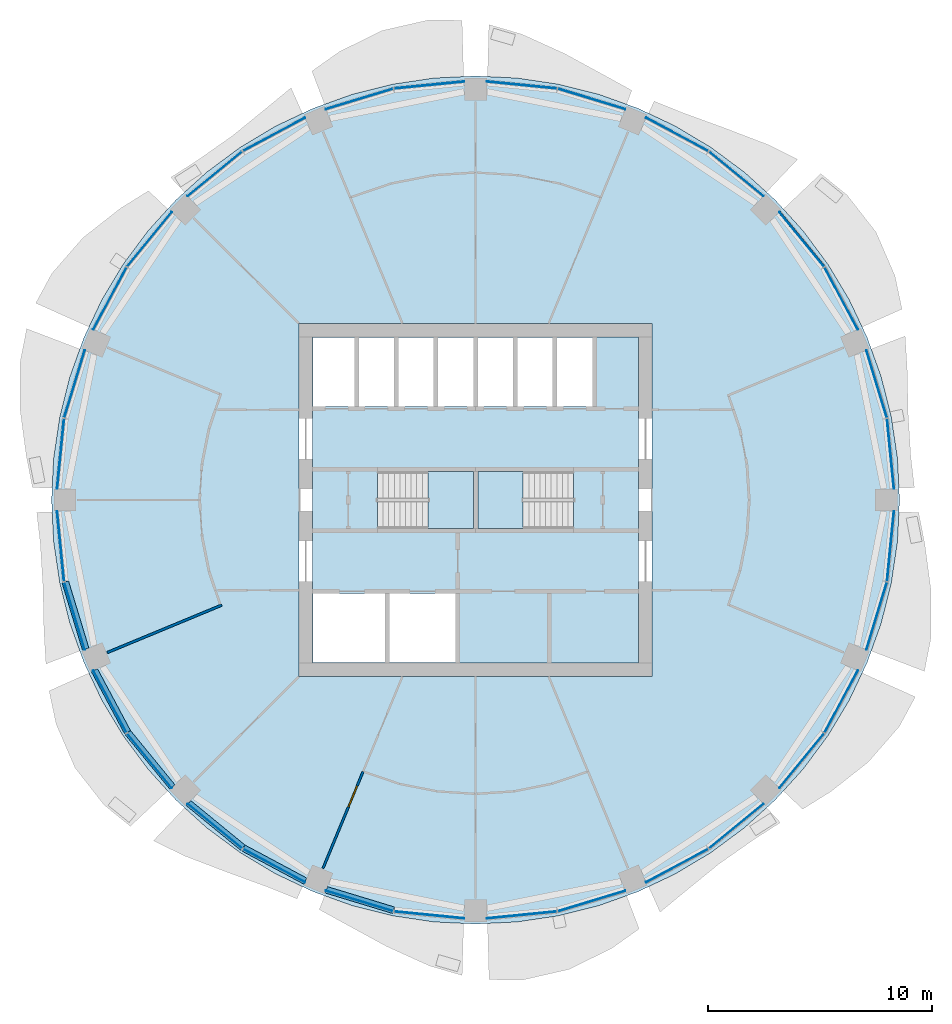
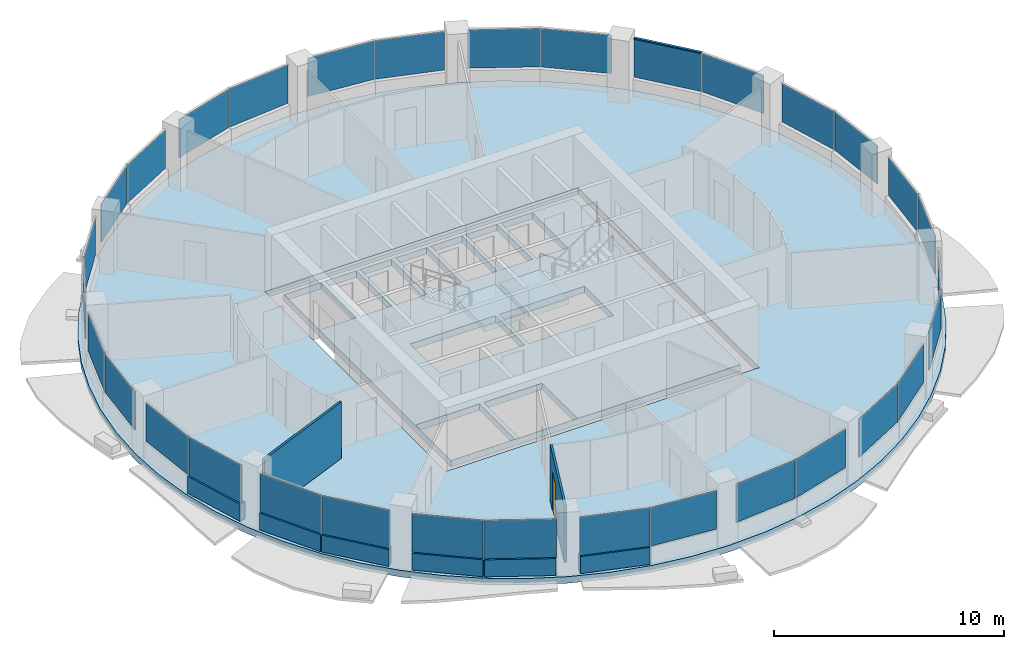
# One storey, part 7 of 14: 32 plates, 8 walls, 4 slabs, 1 door, 1 member, 1 opening, 18 elements without a shape of their own.
"""IFC4 building model written with IfcOpenShell, lengths in metres."""

from ifc_helpers import new_model, si_unit, direction, frame, frame_2d, origin, origin_2d, place, context, subcontext, project, spatial, polyline, rectangle, outline, extrude, material, layer, layer_set, material_profile, profile_set, type_object, element, fill, aggregate, save


model = new_model("IFC4")

# Units and contexts
model_context = context("Model", 3, precision=1e-05, world=origin(), true_north=direction((0.0, 1.0)))
body_context = subcontext(model_context, "Body", "Model", "MODEL_VIEW")
ifc_project = project(units=[si_unit("LENGTHUNIT", "METRE"), si_unit("AREAUNIT", "SQUARE_METRE"), si_unit("VOLUMEUNIT", "CUBIC_METRE"), si_unit("PLANEANGLEUNIT", "RADIAN"), si_unit("MASSUNIT", "GRAM", prefix="KILO")], contexts=[model_context])

# Site, building, storey
site_placement = place(None, origin())
site = spatial("IfcSite", under=ifc_project, at=site_placement, CompositionType="ELEMENT")
building_placement = place(site_placement, origin())
building = spatial("IfcBuilding", under=site, at=building_placement, Name="Polderwave Tower", CompositionType="ELEMENT")
storey_placement = place(building_placement, frame((0.0, 0.0, 141.050048828125)))
storey = spatial("IfcBuildingStorey", under=building, at=storey_placement, Name="L37", CompositionType="ELEMENT", Elevation=141.050048828125)

# Curtain wall, member
ifc_material_1 = material(Name="Aluminium 6063-T6 and glass", Category="aluminium")
curtain_wall_type = type_object("IfcCurtainWallType", Name="Office ribbon glazing wall", PredefinedType="NOTDEFINED", material=ifc_material_1)
curtain_wall_1_placement = place(storey_placement, origin())
curtain_wall_1 = element("IfcCurtainWall", 1, at=curtain_wall_1_placement, inside=storey, type_object=curtain_wall_type, Name="CW3 L37 01", PredefinedType="NOTDEFINED")
ifc_material_2 = material(Name="Aluminium 6063-T6", Category="aluminium")
ifc_material_profile = material_profile(ifc_material_2, rectangle(XDim=0.1201171875, YDim=0.06005859375, at=origin_2d()), Name="AL 60x120")
ifc_profile_set = profile_set([ifc_material_profile], Name="Aluminium 6063-T6")
member_type = type_object("IfcMemberType", Name="Office ribbon glazing transom 60x120", PredefinedType="USERDEFINED", material=ifc_profile_set)
member_placement = place(storey_placement, frame((15.530517578125, 10.410400390625, 2.969970703125), z_axis=(-0.634153141657, 0.773207470816, 0.0), x_axis=(-0.773207470816, -0.634153141657, 0.0)))
member = element("IfcMember", 2, at=member_placement, type_object=member_type, Name="CW3 transom 2", ObjectType="TRANSOM", PredefinedType="USERDEFINED", context=body_context, shape_type="SweptSolid", body=[
    extrude(rectangle(XDim=0.1201171875, YDim=0.06005859375, at=origin_2d()), origin(), (0.0, 0.0, 1.0), 3.1357421875),
])

# Slab
ifc_material_3 = material(Name="Concrete C40/50", Category="concrete")
ifc_layer_1 = layer(ifc_material_3, 0.35009765625)
ifc_layer_set_1 = layer_set([ifc_layer_1], Name="Core floor slab 350")
slab_type_1 = type_object("IfcSlabType", Name="Core floor slab 350", PredefinedType="FLOOR", material=ifc_layer_set_1)
slab_1_placement = place(storey_placement, frame((0.0, 0.0, -0.35009765625)))
element("IfcSlab", 3, at=slab_1_placement, inside=storey, type_object=slab_type_1, Name="L37 core floor", PredefinedType="FLOOR", context=body_context, shape_type="SweptSolid", body=[
    extrude(outline(polyline([(-7.27392578125, -7.27392578125), (7.27392578125, -7.27392578125), (7.27392578125, 7.27392578125), (-7.27392578125, 7.27392578125), (-7.27392578125, -7.27392578125)]), holes=[polyline([(-7.25390625, -7.25390625), (-4.037109375, -7.25390625), (-4.037109375, -4.174072265625), (-7.25390625, -4.174072265625), (-7.25390625, -7.25390625)]), polyline([(-3.8369140625, -7.25390625), (-0.89990234375, -7.25390625), (-0.89990234375, -4.174072265625), (-3.8369140625, -4.174072265625), (-3.8369140625, -7.25390625)]), polyline([(-7.25390625, 4.174072265625), (-5.405517578125, 4.174072265625), (-5.405517578125, 7.25390625), (-7.25390625, 7.25390625), (-7.25390625, 4.174072265625)]), polyline([(-5.20556640625, 4.174072265625), (-3.636962890625, 4.174072265625), (-3.636962890625, 7.25390625), (-5.20556640625, 7.25390625), (-5.20556640625, 4.174072265625)]), polyline([(-3.43701171875, 4.174072265625), (-1.868408203125, 4.174072265625), (-1.868408203125, 7.25390625), (-3.43701171875, 7.25390625), (-3.43701171875, 4.174072265625)]), polyline([(-1.66845703125, 4.174072265625), (-0.10009765625, 4.174072265625), (-0.10009765625, 7.25390625), (-1.66845703125, 7.25390625), (-1.66845703125, 4.174072265625)]), polyline([(0.10009765625, 4.174072265625), (1.66845703125, 4.174072265625), (1.66845703125, 7.25390625), (0.10009765625, 7.25390625), (0.10009765625, 4.174072265625)]), polyline([(1.868408203125, 4.174072265625), (3.43701171875, 4.174072265625), (3.43701171875, 7.25390625), (1.868408203125, 7.25390625), (1.868408203125, 4.174072265625)]), polyline([(3.636962890625, 4.174072265625), (5.20556640625, 4.174072265625), (5.20556640625, 7.25390625), (3.636962890625, 7.25390625), (3.636962890625, 4.174072265625)]), polyline([(-4.37353515625, -1.2744140625), (-0.1005859375, -1.2744140625), (-0.1005859375, 1.2744140625), (-4.37353515625, 1.2744140625), (-4.37353515625, -1.2744140625)]), polyline([(0.1005859375, -1.2744140625), (4.37353515625, -1.2744140625), (4.37353515625, 1.2744140625), (0.1005859375, 1.2744140625), (0.1005859375, -1.2744140625)])]), origin(), (0.0, 0.0, 1.0), 0.35009765625),
])

# Curtain wall, plates
curtain_wall_2_placement = place(storey_placement, origin())
curtain_wall_2 = element("IfcCurtainWall", 4, at=curtain_wall_2_placement, inside=storey, type_object=curtain_wall_type, Name="CW3 L37 00", PredefinedType="NOTDEFINED")
ifc_material_4 = material(Name="Glass, low-e laminated double glazing", Category="glass")
ifc_layer_2 = layer(ifc_material_4, 0.031982421875)
ifc_layer_set_2 = layer_set([ifc_layer_2], Name="Office ribbon glazing glass panel 32 mm")
plate_type = type_object("IfcPlateType", Name="Office ribbon glazing glass panel 32 mm", PredefinedType="CURTAIN_PANEL", material=ifc_layer_set_2)
plate_1_placement = place(storey_placement, frame((18.497314453125, 2.060302734375, 0.89990234375), z_axis=(0.0, 0.0, 1.0), x_axis=(-0.098001507992, 0.995186266199, 0.0)))
plate_1 = element("IfcPlate", 5, at=plate_1_placement, type_object=plate_type, Name="CW3 panel 1", PredefinedType="CURTAIN_PANEL", context=body_context, shape_type="SweptSolid", body=[
    extrude(rectangle(XDim=3.1357421875, YDim=0.031982421875, at=origin_2d()), origin(), (0.0, 0.0, 1.0), 2.0400390625),
])
plate_2_placement = place(storey_placement, frame((17.87744140625, 5.1748046875, 0.89990234375), z_axis=(0.0, 0.0, 1.0), x_axis=(-0.290506802834, 0.95687292652, 0.0)))
plate_2 = element("IfcPlate", 6, at=plate_2_placement, type_object=plate_type, Name="CW3 panel 2", PredefinedType="CURTAIN_PANEL", context=body_context, shape_type="SweptSolid", body=[
    extrude(rectangle(XDim=3.135986328125, YDim=0.031982421875, at=origin_2d()), origin(), (0.0, 0.0, 1.0), 2.0400390625),
])
aggregate(curtain_wall_2, [plate_1, plate_2])

# Plate
plate_3_placement = place(storey_placement, frame((16.300537109375, 8.98193359375, 0.89990234375), z_axis=(0.0, 0.0, 1.0), x_axis=(-0.471572201194, 0.881827454246, 0.0)))
plate_3 = element("IfcPlate", 7, at=plate_3_placement, type_object=plate_type, Name="CW3 panel 1", PredefinedType="CURTAIN_PANEL", context=body_context, shape_type="SweptSolid", body=[
    extrude(rectangle(XDim=3.136474609375, YDim=0.031982421875, at=origin_2d()), origin(), (0.0, 0.0, 1.0), 2.0400390625),
])

plate_4_placement = place(storey_placement, frame((14.536376953125, 11.62255859375, 0.89990234375), z_axis=(0.0, 0.0, 1.0), x_axis=(-0.63413286073, 0.773224103958, 0.0)))
plate_4 = element("IfcPlate", 8, at=plate_4_placement, type_object=plate_type, Name="CW3 panel 2", PredefinedType="CURTAIN_PANEL", context=body_context, shape_type="SweptSolid", body=[
    extrude(rectangle(XDim=3.135986328125, YDim=0.031982421875, at=origin_2d()), origin(), (0.0, 0.0, 1.0), 2.0400390625),
])

aggregate(curtain_wall_1, [member, plate_3, plate_4])

# Curtain wall, plates
curtain_wall_3_placement = place(storey_placement, origin())
curtain_wall_3 = element("IfcCurtainWall", 9, at=curtain_wall_3_placement, inside=storey, type_object=curtain_wall_type, Name="CW3 L37 02", PredefinedType="NOTDEFINED")
plate_5_placement = place(storey_placement, frame((11.62255859375, 14.536376953125, 0.89990234375), z_axis=(0.0, 0.0, 1.0), x_axis=(-0.773224103958, 0.63413286073, 0.0)))
plate_5 = element("IfcPlate", 10, at=plate_5_placement, type_object=plate_type, Name="CW3 panel 1", PredefinedType="CURTAIN_PANEL", context=body_context, shape_type="SweptSolid", body=[
    extrude(rectangle(XDim=3.135986328125, YDim=0.031982421875, at=origin_2d()), origin(), (0.0, 0.0, 1.0), 2.0400390625),
])
plate_6_placement = place(storey_placement, frame((8.98193359375, 16.300537109375, 0.89990234375), z_axis=(0.0, 0.0, 1.0), x_axis=(-0.881827454246, 0.471572201194, 0.0)))
plate_6 = element("IfcPlate", 11, at=plate_6_placement, type_object=plate_type, Name="CW3 panel 2", PredefinedType="CURTAIN_PANEL", context=body_context, shape_type="SweptSolid", body=[
    extrude(rectangle(XDim=3.136474609375, YDim=0.031982421875, at=origin_2d()), origin(), (0.0, 0.0, 1.0), 2.0400390625),
])
aggregate(curtain_wall_3, [plate_5, plate_6])

curtain_wall_4_placement = place(storey_placement, origin())
curtain_wall_4 = element("IfcCurtainWall", 12, at=curtain_wall_4_placement, inside=storey, type_object=curtain_wall_type, Name="CW3 L37 03", PredefinedType="NOTDEFINED")
plate_7_placement = place(storey_placement, frame((5.1748046875, 17.87744140625, 0.89990234375), z_axis=(0.0, 0.0, 1.0), x_axis=(-0.95687292652, 0.290506802834, 0.0)))
plate_7 = element("IfcPlate", 13, at=plate_7_placement, type_object=plate_type, Name="CW3 panel 1", PredefinedType="CURTAIN_PANEL", context=body_context, shape_type="SweptSolid", body=[
    extrude(rectangle(XDim=3.135986328125, YDim=0.031982421875, at=origin_2d()), origin(), (0.0, 0.0, 1.0), 2.0400390625),
])
plate_8_placement = place(storey_placement, frame((2.060302734375, 18.497314453125, 0.89990234375), z_axis=(0.0, 0.0, 1.0), x_axis=(-0.995186266199, 0.098001507992, 0.0)))
plate_8 = element("IfcPlate", 14, at=plate_8_placement, type_object=plate_type, Name="CW3 panel 2", PredefinedType="CURTAIN_PANEL", context=body_context, shape_type="SweptSolid", body=[
    extrude(rectangle(XDim=3.1357421875, YDim=0.031982421875, at=origin_2d()), origin(), (0.0, 0.0, 1.0), 2.0400390625),
])
aggregate(curtain_wall_4, [plate_7, plate_8])

curtain_wall_5_placement = place(storey_placement, origin())
curtain_wall_5 = element("IfcCurtainWall", 15, at=curtain_wall_5_placement, inside=storey, type_object=curtain_wall_type, Name="CW3 L37 04", PredefinedType="NOTDEFINED")
plate_9_placement = place(storey_placement, frame((-2.060302734375, 18.497314453125, 0.89990234375), z_axis=(0.0, 0.0, 1.0), x_axis=(-0.995186266199, -0.098001507992, 0.0)))
plate_9 = element("IfcPlate", 16, at=plate_9_placement, type_object=plate_type, Name="CW3 panel 1", PredefinedType="CURTAIN_PANEL", context=body_context, shape_type="SweptSolid", body=[
    extrude(rectangle(XDim=3.1357421875, YDim=0.031982421875, at=origin_2d()), origin(), (0.0, 0.0, 1.0), 2.0400390625),
])
plate_10_placement = place(storey_placement, frame((-5.1748046875, 17.87744140625, 0.89990234375), z_axis=(0.0, 0.0, 1.0), x_axis=(-0.95687292652, -0.290506802834, 0.0)))
plate_10 = element("IfcPlate", 17, at=plate_10_placement, type_object=plate_type, Name="CW3 panel 2", PredefinedType="CURTAIN_PANEL", context=body_context, shape_type="SweptSolid", body=[
    extrude(rectangle(XDim=3.135986328125, YDim=0.031982421875, at=origin_2d()), origin(), (0.0, 0.0, 1.0), 2.0400390625),
])
aggregate(curtain_wall_5, [plate_9, plate_10])

curtain_wall_6_placement = place(storey_placement, origin())
curtain_wall_6 = element("IfcCurtainWall", 18, at=curtain_wall_6_placement, inside=storey, type_object=curtain_wall_type, Name="CW3 L37 05", PredefinedType="NOTDEFINED")
plate_11_placement = place(storey_placement, frame((-8.98193359375, 16.300537109375, 0.89990234375), z_axis=(0.0, 0.0, 1.0), x_axis=(-0.881827454246, -0.471572201194, 0.0)))
plate_11 = element("IfcPlate", 19, at=plate_11_placement, type_object=plate_type, Name="CW3 panel 1", PredefinedType="CURTAIN_PANEL", context=body_context, shape_type="SweptSolid", body=[
    extrude(rectangle(XDim=3.136474609375, YDim=0.031982421875, at=origin_2d()), origin(), (0.0, 0.0, 1.0), 2.0400390625),
])
plate_12_placement = place(storey_placement, frame((-11.62255859375, 14.536376953125, 0.89990234375), z_axis=(0.0, 0.0, 1.0), x_axis=(-0.773224103958, -0.63413286073, 0.0)))
plate_12 = element("IfcPlate", 20, at=plate_12_placement, type_object=plate_type, Name="CW3 panel 2", PredefinedType="CURTAIN_PANEL", context=body_context, shape_type="SweptSolid", body=[
    extrude(rectangle(XDim=3.135986328125, YDim=0.031982421875, at=origin_2d()), origin(), (0.0, 0.0, 1.0), 2.0400390625),
])
aggregate(curtain_wall_6, [plate_11, plate_12])

curtain_wall_7_placement = place(storey_placement, origin())
curtain_wall_7 = element("IfcCurtainWall", 21, at=curtain_wall_7_placement, inside=storey, type_object=curtain_wall_type, Name="CW3 L37 06", PredefinedType="NOTDEFINED")
plate_13_placement = place(storey_placement, frame((-14.536376953125, 11.62255859375, 0.89990234375), z_axis=(0.0, 0.0, 1.0), x_axis=(-0.63413286073, -0.773224103958, 0.0)))
plate_13 = element("IfcPlate", 22, at=plate_13_placement, type_object=plate_type, Name="CW3 panel 1", PredefinedType="CURTAIN_PANEL", context=body_context, shape_type="SweptSolid", body=[
    extrude(rectangle(XDim=3.135986328125, YDim=0.031982421875, at=origin_2d()), origin(), (0.0, 0.0, 1.0), 2.0400390625),
])
plate_14_placement = place(storey_placement, frame((-16.300537109375, 8.98193359375, 0.89990234375), z_axis=(0.0, 0.0, 1.0), x_axis=(-0.471572201194, -0.881827454246, 0.0)))
plate_14 = element("IfcPlate", 23, at=plate_14_placement, type_object=plate_type, Name="CW3 panel 2", PredefinedType="CURTAIN_PANEL", context=body_context, shape_type="SweptSolid", body=[
    extrude(rectangle(XDim=3.136474609375, YDim=0.031982421875, at=origin_2d()), origin(), (0.0, 0.0, 1.0), 2.0400390625),
])
aggregate(curtain_wall_7, [plate_13, plate_14])

curtain_wall_8_placement = place(storey_placement, origin())
curtain_wall_8 = element("IfcCurtainWall", 24, at=curtain_wall_8_placement, inside=storey, type_object=curtain_wall_type, Name="CW3 L37 07", PredefinedType="NOTDEFINED")
plate_15_placement = place(storey_placement, frame((-17.87744140625, 5.1748046875, 0.89990234375), z_axis=(0.0, 0.0, 1.0), x_axis=(-0.290506802834, -0.95687292652, 0.0)))
plate_15 = element("IfcPlate", 25, at=plate_15_placement, type_object=plate_type, Name="CW3 panel 1", PredefinedType="CURTAIN_PANEL", context=body_context, shape_type="SweptSolid", body=[
    extrude(rectangle(XDim=3.135986328125, YDim=0.031982421875, at=origin_2d()), origin(), (0.0, 0.0, 1.0), 2.0400390625),
])
plate_16_placement = place(storey_placement, frame((-18.497314453125, 2.060302734375, 0.89990234375), z_axis=(0.0, 0.0, 1.0), x_axis=(-0.098001507992, -0.995186266199, 0.0)))
plate_16 = element("IfcPlate", 26, at=plate_16_placement, type_object=plate_type, Name="CW3 panel 2", PredefinedType="CURTAIN_PANEL", context=body_context, shape_type="SweptSolid", body=[
    extrude(rectangle(XDim=3.1357421875, YDim=0.031982421875, at=origin_2d()), origin(), (0.0, 0.0, 1.0), 2.0400390625),
])
aggregate(curtain_wall_8, [plate_15, plate_16])

curtain_wall_9_placement = place(storey_placement, origin())
curtain_wall_9 = element("IfcCurtainWall", 27, at=curtain_wall_9_placement, inside=storey, type_object=curtain_wall_type, Name="CW3 L37 08", PredefinedType="NOTDEFINED")
plate_17_placement = place(storey_placement, frame((-18.497314453125, -2.060302734375, 0.89990234375), z_axis=(0.0, 0.0, 1.0), x_axis=(0.098001507992, -0.995186266199, 0.0)))
plate_17 = element("IfcPlate", 28, at=plate_17_placement, type_object=plate_type, Name="CW3 panel 1", PredefinedType="CURTAIN_PANEL", context=body_context, shape_type="SweptSolid", body=[
    extrude(rectangle(XDim=3.1357421875, YDim=0.031982421875, at=origin_2d()), origin(), (0.0, 0.0, 1.0), 2.0400390625),
])
plate_18_placement = place(storey_placement, frame((-17.87744140625, -5.1748046875, 0.89990234375), z_axis=(0.0, 0.0, 1.0), x_axis=(0.290506802834, -0.95687292652, 0.0)))
plate_18 = element("IfcPlate", 29, at=plate_18_placement, type_object=plate_type, Name="CW3 panel 2", PredefinedType="CURTAIN_PANEL", context=body_context, shape_type="SweptSolid", body=[
    extrude(rectangle(XDim=3.135986328125, YDim=0.031982421875, at=origin_2d()), origin(), (0.0, 0.0, 1.0), 2.0400390625),
])
aggregate(curtain_wall_9, [plate_17, plate_18])

curtain_wall_10_placement = place(storey_placement, origin())
curtain_wall_10 = element("IfcCurtainWall", 30, at=curtain_wall_10_placement, inside=storey, type_object=curtain_wall_type, Name="CW3 L37 09", PredefinedType="NOTDEFINED")
plate_19_placement = place(storey_placement, frame((-16.300537109375, -8.98193359375, 0.89990234375), z_axis=(0.0, 0.0, 1.0), x_axis=(0.471572201194, -0.881827454246, 0.0)))
plate_19 = element("IfcPlate", 31, at=plate_19_placement, type_object=plate_type, Name="CW3 panel 1", PredefinedType="CURTAIN_PANEL", context=body_context, shape_type="SweptSolid", body=[
    extrude(rectangle(XDim=3.136474609375, YDim=0.031982421875, at=origin_2d()), origin(), (0.0, 0.0, 1.0), 2.0400390625),
])
plate_20_placement = place(storey_placement, frame((-14.536376953125, -11.62255859375, 0.89990234375), z_axis=(0.0, 0.0, 1.0), x_axis=(0.63413286073, -0.773224103958, 0.0)))
plate_20 = element("IfcPlate", 32, at=plate_20_placement, type_object=plate_type, Name="CW3 panel 2", PredefinedType="CURTAIN_PANEL", context=body_context, shape_type="SweptSolid", body=[
    extrude(rectangle(XDim=3.135986328125, YDim=0.031982421875, at=origin_2d()), origin(), (0.0, 0.0, 1.0), 2.0400390625),
])
aggregate(curtain_wall_10, [plate_19, plate_20])

curtain_wall_11_placement = place(storey_placement, origin())
curtain_wall_11 = element("IfcCurtainWall", 33, at=curtain_wall_11_placement, inside=storey, type_object=curtain_wall_type, Name="CW3 L37 10", PredefinedType="NOTDEFINED")
plate_21_placement = place(storey_placement, frame((-11.62255859375, -14.536376953125, 0.89990234375), z_axis=(0.0, 0.0, 1.0), x_axis=(0.773224103958, -0.63413286073, 0.0)))
plate_21 = element("IfcPlate", 34, at=plate_21_placement, type_object=plate_type, Name="CW3 panel 1", PredefinedType="CURTAIN_PANEL", context=body_context, shape_type="SweptSolid", body=[
    extrude(rectangle(XDim=3.135986328125, YDim=0.031982421875, at=origin_2d()), origin(), (0.0, 0.0, 1.0), 2.0400390625),
])
plate_22_placement = place(storey_placement, frame((-8.98193359375, -16.300537109375, 0.89990234375), z_axis=(0.0, 0.0, 1.0), x_axis=(0.881827454246, -0.471572201194, 0.0)))
plate_22 = element("IfcPlate", 35, at=plate_22_placement, type_object=plate_type, Name="CW3 panel 2", PredefinedType="CURTAIN_PANEL", context=body_context, shape_type="SweptSolid", body=[
    extrude(rectangle(XDim=3.136474609375, YDim=0.031982421875, at=origin_2d()), origin(), (0.0, 0.0, 1.0), 2.0400390625),
])
aggregate(curtain_wall_11, [plate_21, plate_22])

curtain_wall_12_placement = place(storey_placement, origin())
curtain_wall_12 = element("IfcCurtainWall", 36, at=curtain_wall_12_placement, inside=storey, type_object=curtain_wall_type, Name="CW3 L37 11", PredefinedType="NOTDEFINED")
plate_23_placement = place(storey_placement, frame((-5.1748046875, -17.87744140625, 0.89990234375), z_axis=(0.0, 0.0, 1.0), x_axis=(0.95687292652, -0.290506802834, 0.0)))
plate_23 = element("IfcPlate", 37, at=plate_23_placement, type_object=plate_type, Name="CW3 panel 1", PredefinedType="CURTAIN_PANEL", context=body_context, shape_type="SweptSolid", body=[
    extrude(rectangle(XDim=3.135986328125, YDim=0.031982421875, at=origin_2d()), origin(), (0.0, 0.0, 1.0), 2.0400390625),
])
plate_24_placement = place(storey_placement, frame((-2.060302734375, -18.497314453125, 0.89990234375), z_axis=(0.0, 0.0, 1.0), x_axis=(0.995186266199, -0.098001507992, 0.0)))
plate_24 = element("IfcPlate", 38, at=plate_24_placement, type_object=plate_type, Name="CW3 panel 2", PredefinedType="CURTAIN_PANEL", context=body_context, shape_type="SweptSolid", body=[
    extrude(rectangle(XDim=3.1357421875, YDim=0.031982421875, at=origin_2d()), origin(), (0.0, 0.0, 1.0), 2.0400390625),
])
aggregate(curtain_wall_12, [plate_23, plate_24])

curtain_wall_13_placement = place(storey_placement, origin())
curtain_wall_13 = element("IfcCurtainWall", 39, at=curtain_wall_13_placement, inside=storey, type_object=curtain_wall_type, Name="CW3 L37 12", PredefinedType="NOTDEFINED")
plate_25_placement = place(storey_placement, frame((2.060302734375, -18.497314453125, 0.89990234375), z_axis=(0.0, 0.0, 1.0), x_axis=(0.995186266199, 0.098001507992, 0.0)))
plate_25 = element("IfcPlate", 40, at=plate_25_placement, type_object=plate_type, Name="CW3 panel 1", PredefinedType="CURTAIN_PANEL", context=body_context, shape_type="SweptSolid", body=[
    extrude(rectangle(XDim=3.1357421875, YDim=0.031982421875, at=origin_2d()), origin(), (0.0, 0.0, 1.0), 2.0400390625),
])
plate_26_placement = place(storey_placement, frame((5.1748046875, -17.87744140625, 0.89990234375), z_axis=(0.0, 0.0, 1.0), x_axis=(0.95687292652, 0.290506802834, 0.0)))
plate_26 = element("IfcPlate", 41, at=plate_26_placement, type_object=plate_type, Name="CW3 panel 2", PredefinedType="CURTAIN_PANEL", context=body_context, shape_type="SweptSolid", body=[
    extrude(rectangle(XDim=3.135986328125, YDim=0.031982421875, at=origin_2d()), origin(), (0.0, 0.0, 1.0), 2.0400390625),
])
aggregate(curtain_wall_13, [plate_25, plate_26])

curtain_wall_14_placement = place(storey_placement, origin())
curtain_wall_14 = element("IfcCurtainWall", 42, at=curtain_wall_14_placement, inside=storey, type_object=curtain_wall_type, Name="CW3 L37 13", PredefinedType="NOTDEFINED")
plate_27_placement = place(storey_placement, frame((8.98193359375, -16.300537109375, 0.89990234375), z_axis=(0.0, 0.0, 1.0), x_axis=(0.881827454246, 0.471572201194, 0.0)))
plate_27 = element("IfcPlate", 43, at=plate_27_placement, type_object=plate_type, Name="CW3 panel 1", PredefinedType="CURTAIN_PANEL", context=body_context, shape_type="SweptSolid", body=[
    extrude(rectangle(XDim=3.136474609375, YDim=0.031982421875, at=origin_2d()), origin(), (0.0, 0.0, 1.0), 2.0400390625),
])
plate_28_placement = place(storey_placement, frame((11.62255859375, -14.536376953125, 0.89990234375), z_axis=(0.0, 0.0, 1.0), x_axis=(0.773224103958, 0.63413286073, 0.0)))
plate_28 = element("IfcPlate", 44, at=plate_28_placement, type_object=plate_type, Name="CW3 panel 2", PredefinedType="CURTAIN_PANEL", context=body_context, shape_type="SweptSolid", body=[
    extrude(rectangle(XDim=3.135986328125, YDim=0.031982421875, at=origin_2d()), origin(), (0.0, 0.0, 1.0), 2.0400390625),
])
aggregate(curtain_wall_14, [plate_27, plate_28])

curtain_wall_15_placement = place(storey_placement, origin())
curtain_wall_15 = element("IfcCurtainWall", 45, at=curtain_wall_15_placement, inside=storey, type_object=curtain_wall_type, Name="CW3 L37 14", PredefinedType="NOTDEFINED")
plate_29_placement = place(storey_placement, frame((14.536376953125, -11.62255859375, 0.89990234375), z_axis=(0.0, 0.0, 1.0), x_axis=(0.63413286073, 0.773224103958, 0.0)))
plate_29 = element("IfcPlate", 46, at=plate_29_placement, type_object=plate_type, Name="CW3 panel 1", PredefinedType="CURTAIN_PANEL", context=body_context, shape_type="SweptSolid", body=[
    extrude(rectangle(XDim=3.135986328125, YDim=0.031982421875, at=origin_2d()), origin(), (0.0, 0.0, 1.0), 2.0400390625),
])
plate_30_placement = place(storey_placement, frame((16.300537109375, -8.98193359375, 0.89990234375), z_axis=(0.0, 0.0, 1.0), x_axis=(0.471572201194, 0.881827454246, 0.0)))
plate_30 = element("IfcPlate", 47, at=plate_30_placement, type_object=plate_type, Name="CW3 panel 2", PredefinedType="CURTAIN_PANEL", context=body_context, shape_type="SweptSolid", body=[
    extrude(rectangle(XDim=3.136474609375, YDim=0.031982421875, at=origin_2d()), origin(), (0.0, 0.0, 1.0), 2.0400390625),
])
aggregate(curtain_wall_15, [plate_29, plate_30])

curtain_wall_16_placement = place(storey_placement, origin())
curtain_wall_16 = element("IfcCurtainWall", 48, at=curtain_wall_16_placement, inside=storey, type_object=curtain_wall_type, Name="CW3 L37 15", PredefinedType="NOTDEFINED")
plate_31_placement = place(storey_placement, frame((17.87744140625, -5.1748046875, 0.89990234375), z_axis=(0.0, 0.0, 1.0), x_axis=(0.290506802834, 0.95687292652, 0.0)))
plate_31 = element("IfcPlate", 49, at=plate_31_placement, type_object=plate_type, Name="CW3 panel 1", PredefinedType="CURTAIN_PANEL", context=body_context, shape_type="SweptSolid", body=[
    extrude(rectangle(XDim=3.135986328125, YDim=0.031982421875, at=origin_2d()), origin(), (0.0, 0.0, 1.0), 2.0400390625),
])
plate_32_placement = place(storey_placement, frame((18.497314453125, -2.060302734375, 0.89990234375), z_axis=(0.0, 0.0, 1.0), x_axis=(0.098001507992, 0.995186266199, 0.0)))
plate_32 = element("IfcPlate", 50, at=plate_32_placement, type_object=plate_type, Name="CW3 panel 2", PredefinedType="CURTAIN_PANEL", context=body_context, shape_type="SweptSolid", body=[
    extrude(rectangle(XDim=3.1357421875, YDim=0.031982421875, at=origin_2d()), origin(), (0.0, 0.0, 1.0), 2.0400390625),
])
aggregate(curtain_wall_16, [plate_31, plate_32])

# Slab
ifc_layer_3 = layer(ifc_material_3, 0.35009765625)
ifc_layer_set_3 = layer_set([ifc_layer_3], Name="PT FLOOR SLAB 350 C40/50")
slab_type_2 = type_object("IfcSlabType", Name="PT FLOOR SLAB 350 C40/50", PredefinedType="FLOOR", material=ifc_layer_set_3)
slab_2_placement = place(storey_placement, frame((0.0, 0.0, -0.35009765625)))
element("IfcSlab", 51, at=slab_2_placement, inside=storey, type_object=slab_type_2, Name="ST-SLAB-L37", PredefinedType="FLOOR", context=body_context, shape_type="SweptSolid", body=[
    extrude(outline(polyline([(18.89990234375, 0.0), (18.80908203125, 1.8525390625), (18.536865234375, 3.687255859375), (18.086181640625, 5.486328125), (17.461181640625, 7.232666015625), (16.668212890625, 8.909423828125), (15.71484375, 10.500244140625), (14.60986328125, 11.989990234375), (13.3642578125, 13.3642578125), (11.989990234375, 14.60986328125), (10.500244140625, 15.71484375), (8.909423828125, 16.668212890625), (7.232666015625, 17.461181640625), (5.486328125, 18.086181640625), (3.687255859375, 18.536865234375), (1.8525390625, 18.80908203125), (0.0, 18.89990234375), (-1.8525390625, 18.80908203125), (-3.687255859375, 18.536865234375), (-5.486328125, 18.086181640625), (-7.232666015625, 17.461181640625), (-8.909423828125, 16.668212890625), (-10.500244140625, 15.71484375), (-11.989990234375, 14.60986328125), (-13.3642578125, 13.3642578125), (-14.60986328125, 11.989990234375), (-15.71484375, 10.500244140625), (-16.668212890625, 8.909423828125), (-17.461181640625, 7.232666015625), (-18.086181640625, 5.486328125), (-18.536865234375, 3.687255859375), (-18.80908203125, 1.8525390625), (-18.89990234375, 0.0), (-18.80908203125, -1.8525390625), (-18.536865234375, -3.687255859375), (-18.086181640625, -5.486328125), (-17.461181640625, -7.232666015625), (-16.668212890625, -8.909423828125), (-15.71484375, -10.500244140625), (-14.60986328125, -11.989990234375), (-13.3642578125, -13.3642578125), (-11.989990234375, -14.60986328125), (-10.500244140625, -15.71484375), (-8.909423828125, -16.668212890625), (-7.232666015625, -17.461181640625), (-5.486328125, -18.086181640625), (-3.687255859375, -18.536865234375), (-1.8525390625, -18.80908203125), (0.0, -18.89990234375), (1.8525390625, -18.80908203125), (3.687255859375, -18.536865234375), (5.486328125, -18.086181640625), (7.232666015625, -17.461181640625), (8.909423828125, -16.668212890625), (10.500244140625, -15.71484375), (11.989990234375, -14.60986328125), (13.3642578125, -13.3642578125), (14.60986328125, -11.989990234375), (15.71484375, -10.500244140625), (16.668212890625, -8.909423828125), (17.461181640625, -7.232666015625), (18.086181640625, -5.486328125), (18.536865234375, -3.687255859375), (18.80908203125, -1.8525390625), (18.89990234375, 0.0)]), holes=[polyline([(-7.8740234375, -7.8740234375), (7.8740234375, -7.8740234375), (7.8740234375, 7.8740234375), (-7.8740234375, 7.8740234375), (-7.8740234375, -7.8740234375)])]), origin(), (0.0, 0.0, 1.0), 0.35009765625),
])

# Stair, slab
stair_type = type_object("IfcStairType", Name="Exit stair 1200 x 20 risers", PredefinedType="HALF_TURN_STAIR", material=ifc_material_3)
stair_1_placement = place(storey_placement, origin())
stair_1 = element("IfcStair", 52, at=stair_1_placement, inside=storey, type_object=stair_type, Name="L37 Exit stair A", PredefinedType="HALF_TURN_STAIR")
ifc_layer_4 = layer(ifc_material_3, 0.300048828125)
ifc_layer_set_4 = layer_set([ifc_layer_4], Name="Stair landing 300")
slab_type_3 = type_object("IfcSlabType", Name="Stair landing 300", PredefinedType="LANDING", material=ifc_layer_set_4)
slab_3_placement = place(storey_placement, frame((0.0, 0.0, 1.375)))
slab_3 = element("IfcSlab", 53, at=slab_3_placement, type_object=slab_type_3, Name="ST-A landing 1", PredefinedType="LANDING", context=body_context, shape_type="SweptSolid", body=[
    extrude(outline(polyline([(-2.1240234375, -1.27490234375), (-0.10009765625, -1.27490234375), (-0.10009765625, 1.27490234375), (-2.1240234375, 1.27490234375), (-2.1240234375, -1.27490234375)])), origin(), (0.0, 0.0, 1.0), 0.300048828125),
])
aggregate(stair_1, [slab_3])

stair_2_placement = place(storey_placement, origin())
stair_2 = element("IfcStair", 54, at=stair_2_placement, inside=storey, type_object=stair_type, Name="L37 Exit stair B", PredefinedType="HALF_TURN_STAIR")
slab_4_placement = place(storey_placement, frame((0.0, 0.0, 1.375)))
slab_4 = element("IfcSlab", 55, at=slab_4_placement, type_object=slab_type_3, Name="ST-B landing 1", PredefinedType="LANDING", context=body_context, shape_type="SweptSolid", body=[
    extrude(outline(polyline([(2.1240234375, 1.27490234375), (0.10009765625, 1.27490234375), (0.10009765625, -1.27490234375), (2.1240234375, -1.27490234375), (2.1240234375, 1.27490234375)])), origin(), (0.0, 0.0, 1.0), 0.300048828125),
])
aggregate(stair_2, [slab_4])

# Walls
ifc_material_5 = material(Name="Concrete C50/60 (board-marked)", Category="concrete")
ifc_layer_5 = layer(ifc_material_5, 0.300048828125)
ifc_layer_set_5 = layer_set([ifc_layer_5], Name="Concrete spandrel upstand C50/60")
wall_type_1 = type_object("IfcWallType", Name="Concrete spandrel upstand C50/60", PredefinedType="SOLIDWALL", material=ifc_layer_set_5)
for number, where, z_axis, x_axis, name in (
    (56, (-18.28759765625, -3.65234375, 0.0), (0.0, 0.0, 1.0), (0.290614442714, -0.95684024042, 0.0), "Spandrel L37 9b"),
    (57, (-16.98681640625, -7.59228515625, 0.0), (0.0, 0.0, 1.0), (0.471577373746, -0.881824688116, 0.0), "Spandrel L37 10a"),
    (58, (-15.49658203125, -10.37255859375, 0.0), (0.0, 0.0, 1.0), (0.633977746593, -0.773351289405, 0.0), "Spandrel L37 10b"),
    (59, (-12.789306640625, -13.515380859375, 0.0), (0.0, 0.0, 1.0), (0.773351289405, -0.633977746593, 0.0), "Spandrel L37 11a"),
    (60, (-10.347900390625, -15.51318359375, 0.0), (0.0, 0.0, 1.0), (0.881824688116, -0.471577373746, 0.0), "Spandrel L37 11b"),
    (61, (-6.642578125, -17.37939453125, 0.0), (0.0, 0.0, 1.0), (0.95684024042, -0.290614442714, 0.0), "Spandrel L37 12a"),
):
    element("IfcWall", number, at=place(storey_placement, frame(where, z_axis=z_axis, x_axis=x_axis)), inside=storey, type_object=wall_type_1, Name=name, PredefinedType="SOLIDWALL", context=body_context, shape_type="SweptSolid", body=[
        extrude(rectangle(XDim=3.125, YDim=0.300048828125, at=frame_2d((1.5625, 0.0))), origin(), (0.0, 0.0, 1.0), 0.89990234375),
    ])

# Wall, opening, door
ifc_material_6 = material(Name="Plasterboard on steel studs", Category="steel")
ifc_layer_6 = layer(ifc_material_6, 0.10009765625)
ifc_layer_set_6 = layer_set([ifc_layer_6], Name="Partition 100 mm plasterboard on steel studs")
wall_type_2 = type_object("IfcWallType", Name="Partition 100 mm plasterboard on steel studs", PredefinedType="PARTITIONING", material=ifc_layer_set_6)
wall_1_placement = place(storey_placement, frame((-5.01318359375, -12.102783203125, 0.0), z_axis=(0.0, 0.0, 1.0), x_axis=(-0.382684232268, -0.92387920118, 0.0)))
wall_1 = element("IfcWall", 62, at=wall_1_placement, inside=storey, type_object=wall_type_2, Name="IN-L37-W041", PredefinedType="PARTITIONING", context=body_context, shape_type="SweptSolid", body=[
    extrude(rectangle(XDim=4.669921875, YDim=0.10009765625, at=frame_2d((2.3349609375, 0.0))), origin(), (0.0, 0.0, 1.0), 3.0),
])
opening_placement = place(wall_1_placement, frame((0.699951171875, 0.0, 0.0)))
opening = element("IfcOpeningElement", 63, at=opening_placement, cuts=wall_1, Name="Opening L37-D64", PredefinedType="OPENING", context=body_context, shape_type="SweptSolid", body=[
    extrude(rectangle(XDim=1.0, YDim=2.10009765625, at=frame_2d((0.5, 1.050048828125))), frame((0.0, 0.06005859375, 0.0), z_axis=(0.0, -1.0, 0.0), x_axis=(1.0, 0.0, 0.0)), (0.0, 0.0, 1.0), 0.1201171875),
])
ifc_material_7 = material(Name="Timber veneer door leaf", Category="wood")
door_type = type_object("IfcDoorType", Name="Single door 1000 x 2100", OperationType="NOTDEFINED", PredefinedType="DOOR", material=ifc_material_7)
door_placement = place(opening_placement, origin())
door = element("IfcDoor", 64, at=door_placement, inside=storey, type_object=door_type, Name="Door L37-D64", OperationType="SINGLE_SWING_LEFT", OverallHeight=2.10009765625, OverallWidth=1.0, PredefinedType="DOOR", context=body_context, shape_type="SweptSolid", body=[
    extrude(rectangle(XDim=1.0, YDim=2.10009765625, at=frame_2d((0.5, 1.050048828125))), frame((0.0, 0.02490234375, 0.0), z_axis=(0.0, -1.0, 0.0), x_axis=(1.0, 0.0, 0.0)), (0.0, 0.0, 1.0), 0.050048828125),
])
fill(opening, door)

# Wall
ifc_material_8 = material(Name="Acoustic double plasterboard on steel studs", Category="steel")
ifc_layer_7 = layer(ifc_material_8, 0.110107421875)
ifc_layer_set_7 = layer_set([ifc_layer_7], Name="Partition 110 mm acoustic double board")
wall_type_3 = type_object("IfcWallType", Name="Partition 110 mm acoustic double board", PredefinedType="PARTITIONING", material=ifc_layer_set_7)
wall_2_placement = place(storey_placement, frame((-16.417236328125, -6.80029296875, 0.0), z_axis=(0.0, 0.0, 1.0), x_axis=(0.923878953637, 0.382684829889, 0.0)))
element("IfcWall", 65, at=wall_2_placement, inside=storey, type_object=wall_type_3, Name="IN-L37-W037", PredefinedType="PARTITIONING", context=body_context, shape_type="SweptSolid", body=[
    extrude(rectangle(XDim=5.52490234375, YDim=0.110107421875, at=frame_2d((2.762451171875, 0.0))), origin(), (0.0, 0.0, 1.0), 3.0),
])

save(model, "model.ifc")
